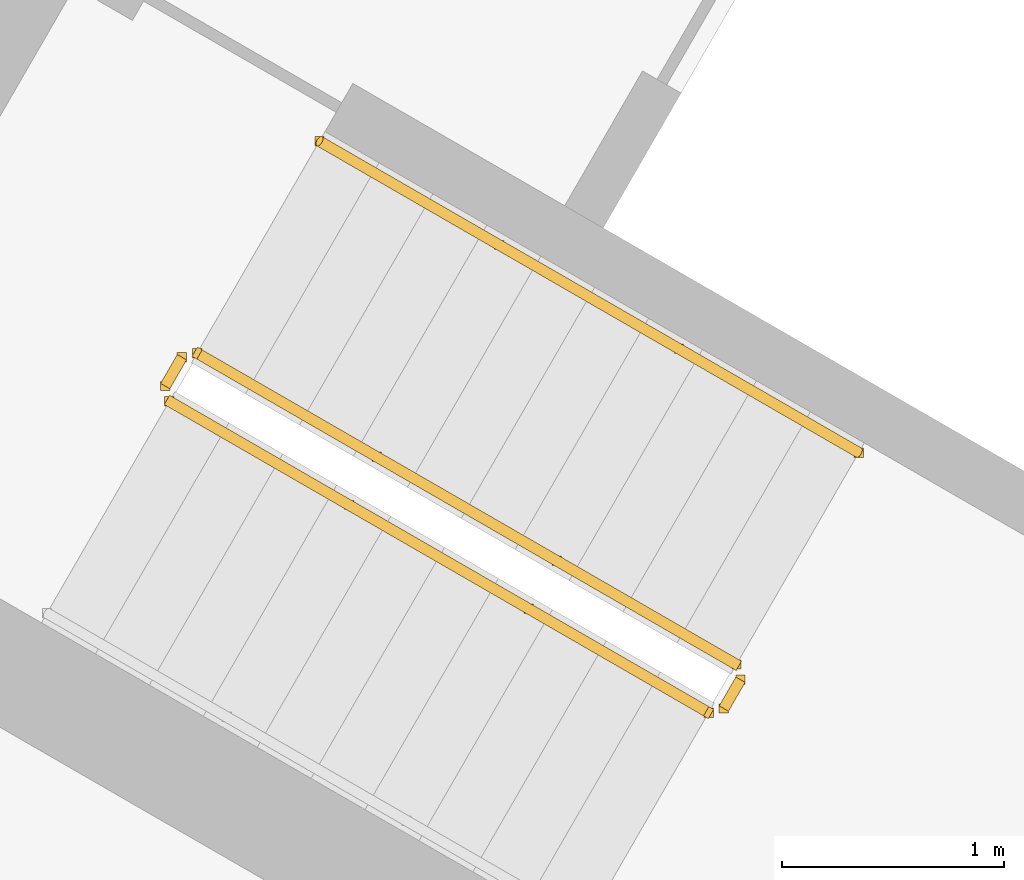
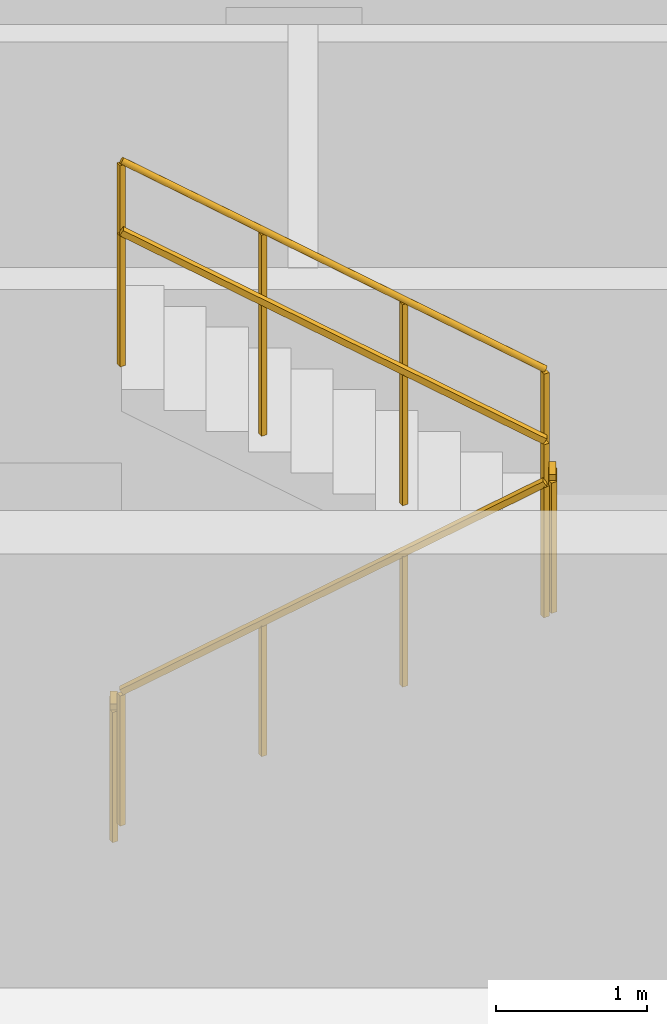
# One storey, part 12 of 14: 5 railings.
"""IFC4 building model written with IfcOpenShell, lengths in metres."""

from ifc_helpers import new_model, si_unit, direction, frame, origin, origin_2d, place, context, subcontext, project, spatial, rectangle, circle, extrude, material, type_object, element, save


model = new_model("IFC4")

# Units and contexts
model_context = context("Model", 3, precision=1e-05, world=origin(), true_north=direction((0.0, 1.0)))
body_context = subcontext(model_context, "Body", "Model", "MODEL_VIEW")
ifc_project = project(units=[si_unit("LENGTHUNIT", "METRE"), si_unit("AREAUNIT", "SQUARE_METRE"), si_unit("VOLUMEUNIT", "CUBIC_METRE"), si_unit("PLANEANGLEUNIT", "RADIAN"), si_unit("MASSUNIT", "GRAM", prefix="KILO")], contexts=[model_context])

# Site, building, storey
site_placement = place(None, origin())
site = spatial("IfcSite", under=ifc_project, at=site_placement, CompositionType="ELEMENT")
building_placement = place(site_placement, origin())
building = spatial("IfcBuilding", under=site, at=building_placement, Name="Apuvela Tower Hotel", CompositionType="ELEMENT")
storey_placement = place(building_placement, frame((0.0, 0.0, 202.10009765625)))
storey = spatial("IfcBuildingStorey", under=building, at=storey_placement, Name="L49", CompositionType="ELEMENT", Elevation=202.10009765625)

# Railings
ifc_material_1 = material(Name="Steel S275 balustrade", Category="steel")
railing_type_1 = type_object("IfcRailingType", Name="COR-GUARD-1100", PredefinedType="GUARDRAIL", material=ifc_material_1)
railing_1_placement = place(storey_placement, frame((10.718994140625, -10.63427734375, 0.16796875)))
element("IfcRailing", 1, at=railing_1_placement, inside=storey, type_object=railing_type_1, Name="L49 ST3 stair guard 1", PredefinedType="GUARDRAIL", context=body_context, shape_type="SweptSolid", body=[
    extrude(rectangle(XDim=0.048095703125, YDim=0.048095703125, at=origin_2d()), frame((0.0, 0.0, 1.076171875), z_axis=(0.742390482028, -0.42860119049, 0.514934356695), x_axis=(0.49998411664, 0.866034573852, 0.0)), (0.0, 0.0, 1.0), 3.26611328125),
    extrude(rectangle(XDim=0.0419921875, YDim=0.0419921875, at=origin_2d()), origin(), (0.0, 0.0, 1.0), 1.052001953125),
    extrude(rectangle(XDim=0.0419921875, YDim=0.0419921875, at=origin_2d()), frame((0.808349609375, -0.466552734375, 0.560546875)), (0.0, 0.0, 1.0), 1.052001953125),
    extrude(rectangle(XDim=0.0419921875, YDim=0.0419921875, at=origin_2d()), frame((1.616455078125, -0.933349609375, 1.121337890625)), (0.0, 0.0, 1.0), 1.052001953125),
    extrude(rectangle(XDim=0.0419921875, YDim=0.0419921875, at=origin_2d()), frame((2.4248046875, -1.39990234375, 1.681884765625)), (0.0, 0.0, 1.0), 1.052001953125),
])
railing_2_placement = place(storey_placement, frame((13.212158203125, -12.015869140625, 1.849853515625)))
element("IfcRailing", 2, at=railing_2_placement, inside=storey, type_object=railing_type_1, Name="L49 ST3 stair guard 2", PredefinedType="GUARDRAIL", context=body_context, shape_type="SweptSolid", body=[
    extrude(rectangle(XDim=0.048095703125, YDim=0.048095703125, at=origin_2d()), frame((0.0, 0.0, 1.076171875), z_axis=(0.499816412211, 0.866131372301, 0.0), x_axis=(-0.866131372301, 0.499816412211, 0.0)), (0.0, 0.0, 1.0), 0.14990234375),
    extrude(rectangle(XDim=0.0419921875, YDim=0.0419921875, at=origin_2d()), origin(), (0.0, 0.0, 1.0), 1.052001953125),
    extrude(rectangle(XDim=0.0419921875, YDim=0.0419921875, at=origin_2d()), frame((0.074951171875, 0.1298828125, 0.0)), (0.0, 0.0, 1.0), 1.052001953125),
])
railing_3_placement = place(storey_placement, frame((13.268798828125, -11.817626953125, 2.01806640625)))
element("IfcRailing", 3, at=railing_3_placement, inside=storey, type_object=railing_type_1, Name="L49 ST3 stair guard 3", PredefinedType="GUARDRAIL", context=body_context, shape_type="SweptSolid", body=[
    extrude(rectangle(XDim=0.048095703125, YDim=0.048095703125, at=origin_2d()), frame((0.0, 0.0, 1.076171875), z_axis=(-0.742390482028, 0.42860119049, 0.514934356695), x_axis=(-0.49998411664, -0.866034573852, 0.0)), (0.0, 0.0, 1.0), 3.26611328125),
    extrude(rectangle(XDim=0.0419921875, YDim=0.0419921875, at=origin_2d()), origin(), (0.0, 0.0, 1.0), 1.052001953125),
    extrude(rectangle(XDim=0.0419921875, YDim=0.0419921875, at=origin_2d()), frame((-0.808349609375, 0.466552734375, 0.560546875)), (0.0, 0.0, 1.0), 1.052001953125),
    extrude(rectangle(XDim=0.0419921875, YDim=0.0419921875, at=origin_2d()), frame((-1.616455078125, 0.933349609375, 1.121337890625)), (0.0, 0.0, 1.0), 1.052001953125),
    extrude(rectangle(XDim=0.0419921875, YDim=0.0419921875, at=origin_2d()), frame((-2.4248046875, 1.39990234375, 1.681884765625)), (0.0, 0.0, 1.0), 1.052001953125),
])
railing_4_placement = place(storey_placement, frame((10.70068359375, -10.56591796875, 0.0)))
element("IfcRailing", 4, at=railing_4_placement, inside=storey, type_object=railing_type_1, Name="L49 ST3 stair guard 4", PredefinedType="GUARDRAIL", context=body_context, shape_type="SweptSolid", body=[
    extrude(rectangle(XDim=0.048095703125, YDim=0.048095703125, at=origin_2d()), frame((0.0, 0.0, 1.076171875), z_axis=(0.499816412211, 0.866131372301, 0.0), x_axis=(-0.866131372301, 0.499816412211, 0.0)), (0.0, 0.0, 1.0), 0.14990234375),
    extrude(rectangle(XDim=0.0419921875, YDim=0.0419921875, at=origin_2d()), origin(), (0.0, 0.0, 1.0), 1.052001953125),
    extrude(rectangle(XDim=0.0419921875, YDim=0.0419921875, at=origin_2d()), frame((0.074951171875, 0.1298828125, 0.0)), (0.0, 0.0, 1.0), 1.052001953125),
])
ifc_material_2 = material(Name="Stainless steel 316 handrail", Category="steel")
railing_type_2 = type_object("IfcRailingType", Name="COR-HANDRAIL-900", PredefinedType="HANDRAIL", material=ifc_material_2)
railing_5_placement = place(storey_placement, frame((13.81884765625, -10.864990234375, 2.01806640625)))
element("IfcRailing", 5, at=railing_5_placement, inside=storey, type_object=railing_type_2, Name="L49 ST3 stair handrail 2", PredefinedType="HANDRAIL", context=body_context, shape_type="SweptSolid", body=[
    extrude(circle(Radius=0.02392578125, at=origin_2d()), frame((0.0, 0.0, 0.8759765625), z_axis=(-0.742390482028, 0.42860119049, 0.514934356695), x_axis=(-0.49998411664, -0.866034573852, 0.0)), (0.0, 0.0, 1.0), 3.26611328125),
    extrude(rectangle(XDim=0.0419921875, YDim=0.0419921875, at=origin_2d()), origin(), (0.0, 0.0, 1.0), 0.851806640625),
    extrude(rectangle(XDim=0.0419921875, YDim=0.0419921875, at=origin_2d()), frame((-0.808349609375, 0.466552734375, 0.560546875)), (0.0, 0.0, 1.0), 0.851806640625),
    extrude(rectangle(XDim=0.0419921875, YDim=0.0419921875, at=origin_2d()), frame((-1.616455078125, 0.933349609375, 1.121337890625)), (0.0, 0.0, 1.0), 0.851806640625),
    extrude(rectangle(XDim=0.0419921875, YDim=0.0419921875, at=origin_2d()), frame((-2.4248046875, 1.39990234375, 1.681884765625)), (0.0, 0.0, 1.0), 0.851806640625),
])

save(model, "model.ifc")
